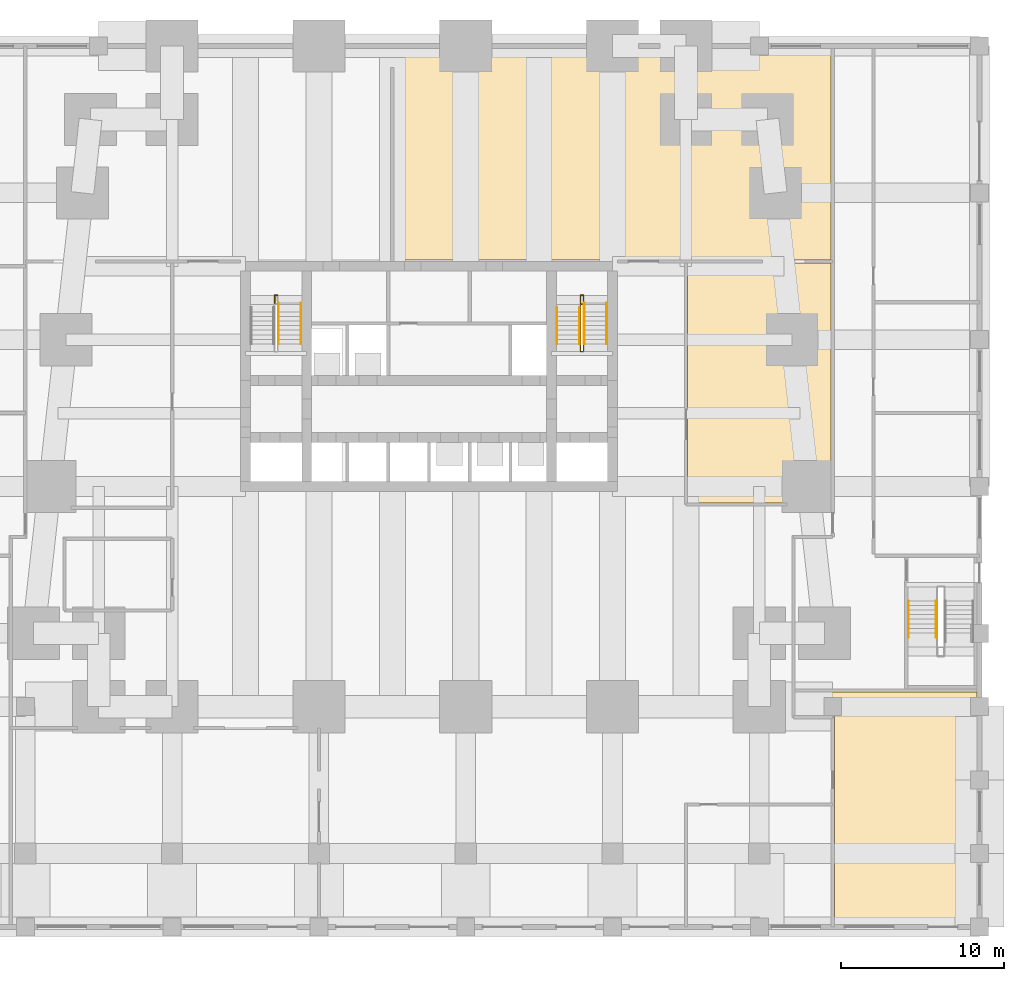
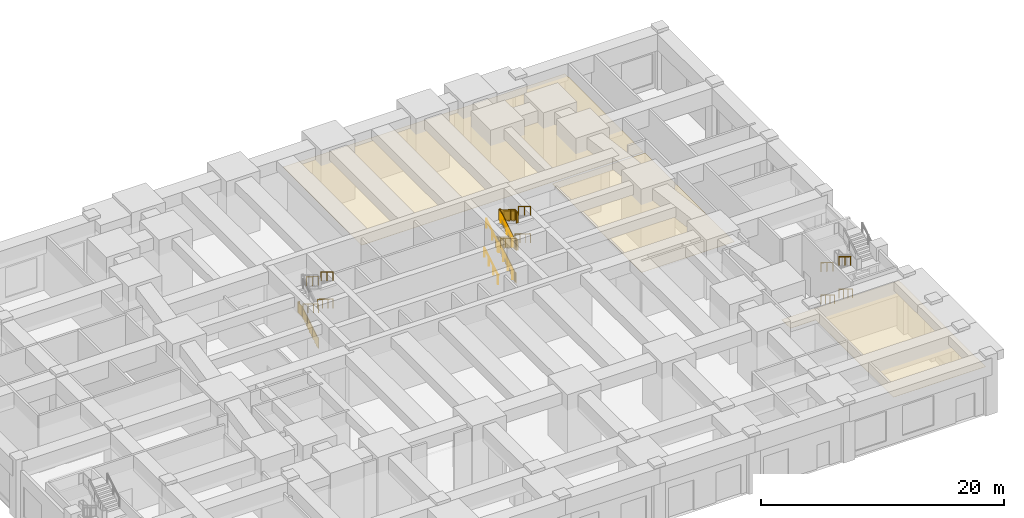
# One storey, part 11 of 13: 21 railings, 3 coverings.
"""IFC4 building model written with IfcOpenShell, lengths in metres."""

from ifc_helpers import new_model, si_unit, direction, frame, origin, origin_2d, place, context, subcontext, project, spatial, polyline, circle, outline, extrude, material, layer, layer_set, type_object, element, save


model = new_model("IFC4")

# Units and contexts
model_context = context("Model", 3, precision=1e-05, world=origin(), true_north=direction((0.0, 1.0)))
body_context = subcontext(model_context, "Body", "Model", "MODEL_VIEW")
ifc_project = project(units=[si_unit("LENGTHUNIT", "METRE"), si_unit("AREAUNIT", "SQUARE_METRE"), si_unit("VOLUMEUNIT", "CUBIC_METRE"), si_unit("PLANEANGLEUNIT", "RADIAN"), si_unit("MASSUNIT", "GRAM", prefix="KILO")], contexts=[model_context])

# Site, building, storey
site_placement = place(None, origin())
site = spatial("IfcSite", under=ifc_project, at=site_placement, CompositionType="ELEMENT")
building_placement = place(site_placement, origin())
building = spatial("IfcBuilding", under=site, at=building_placement, Name="Kilele Tower Hotel", CompositionType="ELEMENT")
storey_placement = place(building_placement, origin())
storey = spatial("IfcBuildingStorey", under=building, at=storey_placement, Name="L00", CompositionType="ELEMENT", Elevation=0.0)

# Railings
ifc_material_1 = material(Name="Steel handrail", Category="steel")
railing_type_1 = type_object("IfcRailingType", Name="Handrail 900", PredefinedType="HANDRAIL", material=ifc_material_1)
for number, where, name in (
    (1, (15.52490234375, 24.760009765625, 1.71435546875), "Handrail ST1 flight 2"),
    (2, (16.89990234375, 24.760009765625, 1.71435546875), "Handrail ST1 flight 2"),
):
    element("IfcRailing", number, at=place(storey_placement, frame(where)), inside=storey, type_object=railing_type_1, Name=name, PredefinedType="HANDRAIL", context=body_context, shape_type="SweptSolid", body=[
        extrude(circle(Radius=0.02490234375, at=origin_2d()), frame((0.0, 0.0, 0.875), z_axis=(0.0, -0.852873080145, 0.522118290393), x_axis=(1.0, 0.0, 0.0)), (0.0, 0.0, 1.0), 2.954833984375),
        extrude(circle(Radius=0.02001953125, at=origin_2d()), origin(), (0.0, 0.0, 1.0), 0.849853515625),
        extrude(circle(Radius=0.02001953125, at=origin_2d()), frame((0.0, -0.840087890625, 0.51416015625)), (0.0, 0.0, 1.0), 0.849853515625),
        extrude(circle(Radius=0.02001953125, at=origin_2d()), frame((0.0, -1.679931640625, 1.028564453125)), (0.0, 0.0, 1.0), 0.849853515625),
        extrude(circle(Radius=0.02001953125, at=origin_2d()), frame((0.0, -2.52001953125, 1.542724609375)), (0.0, 0.0, 1.0), 0.849853515625),
    ])
for number, where, name in (
    (3, (15.52490234375, 24.199951171875, 4.800048828125), "Handrail ST1 flight 4"),
    (4, (16.89990234375, 24.199951171875, 4.800048828125), "Handrail ST1 flight 4"),
):
    element("IfcRailing", number, at=place(storey_placement, frame(where)), inside=storey, type_object=railing_type_1, Name=name, PredefinedType="HANDRAIL", context=body_context, shape_type="SweptSolid", body=[
        extrude(circle(Radius=0.02490234375, at=origin_2d()), frame((0.0, 0.0, 0.875), z_axis=(0.0, -0.852856131449, 0.522145974847), x_axis=(1.0, 0.0, 0.0)), (0.0, 0.0, 1.0), 2.298095703125),
        extrude(circle(Radius=0.02001953125, at=origin_2d()), origin(), (0.0, 0.0, 1.0), 0.849853515625),
        extrude(circle(Radius=0.02001953125, at=origin_2d()), frame((0.0, -0.97998046875, 0.60009765625)), (0.0, 0.0, 1.0), 0.849853515625),
        extrude(circle(Radius=0.02001953125, at=origin_2d()), frame((0.0, -1.9599609375, 1.199951171875)), (0.0, 0.0, 1.0), 0.849853515625),
    ])
for number, where, name in (
    (5, (32.60009765625, 22.239990234375, 0.17138671875), "Handrail ST2 flight 1"),
    (6, (33.97509765625, 22.239990234375, 0.17138671875), "Handrail ST2 flight 1"),
):
    element("IfcRailing", number, at=place(storey_placement, frame(where)), inside=storey, type_object=railing_type_1, Name=name, PredefinedType="HANDRAIL", context=body_context, shape_type="SweptSolid", body=[
        extrude(circle(Radius=0.02490234375, at=origin_2d()), frame((0.0, 0.0, 0.875), z_axis=(0.0, 0.852824270871, 0.522198011308), x_axis=(-1.0, 0.0, 0.0)), (0.0, 0.0, 1.0), 2.62646484375),
        extrude(circle(Radius=0.02001953125, at=origin_2d()), origin(), (0.0, 0.0, 1.0), 0.849853515625),
        extrude(circle(Radius=0.02001953125, at=origin_2d()), frame((0.0, 0.74658203125, 0.457275390625)), (0.0, 0.0, 1.0), 0.849853515625),
        extrude(circle(Radius=0.02001953125, at=origin_2d()), frame((0.0, 1.493408203125, 0.914306640625)), (0.0, 0.0, 1.0), 0.849853515625),
        extrude(circle(Radius=0.02001953125, at=origin_2d()), frame((0.0, 2.239990234375, 1.37158203125)), (0.0, 0.0, 1.0), 0.849853515625),
    ])
for number, where, name in (
    (7, (34.27490234375, 24.760009765625, 1.71435546875), "Handrail ST2 flight 2"),
    (8, (35.64990234375, 24.760009765625, 1.71435546875), "Handrail ST2 flight 2"),
):
    element("IfcRailing", number, at=place(storey_placement, frame(where)), inside=storey, type_object=railing_type_1, Name=name, PredefinedType="HANDRAIL", context=body_context, shape_type="SweptSolid", body=[
        extrude(circle(Radius=0.02490234375, at=origin_2d()), frame((0.0, 0.0, 0.875), z_axis=(0.0, -0.852873080145, 0.522118290393), x_axis=(1.0, 0.0, 0.0)), (0.0, 0.0, 1.0), 2.954833984375),
        extrude(circle(Radius=0.02001953125, at=origin_2d()), origin(), (0.0, 0.0, 1.0), 0.849853515625),
        extrude(circle(Radius=0.02001953125, at=origin_2d()), frame((0.0, -0.840087890625, 0.51416015625)), (0.0, 0.0, 1.0), 0.849853515625),
        extrude(circle(Radius=0.02001953125, at=origin_2d()), frame((0.0, -1.679931640625, 1.028564453125)), (0.0, 0.0, 1.0), 0.849853515625),
        extrude(circle(Radius=0.02001953125, at=origin_2d()), frame((0.0, -2.52001953125, 1.542724609375)), (0.0, 0.0, 1.0), 0.849853515625),
    ])
for number, where, name in (
    (9, (32.60009765625, 22.239990234375, 3.428466796875), "Handrail ST2 flight 3"),
    (10, (33.97509765625, 22.239990234375, 3.428466796875), "Handrail ST2 flight 3"),
):
    element("IfcRailing", number, at=place(storey_placement, frame(where)), inside=storey, type_object=railing_type_1, Name=name, PredefinedType="HANDRAIL", context=body_context, shape_type="SweptSolid", body=[
        extrude(circle(Radius=0.02490234375, at=origin_2d()), frame((0.0, 0.0, 0.875), z_axis=(0.0, 0.852808822406, 0.522223240029), x_axis=(-1.0, 0.0, 0.0)), (0.0, 0.0, 1.0), 2.29833984375),
        extrude(circle(Radius=0.02001953125, at=origin_2d()), origin(), (0.0, 0.0, 1.0), 0.849853515625),
        extrude(circle(Radius=0.02001953125, at=origin_2d()), frame((0.0, 0.97998046875, 0.60009765625)), (0.0, 0.0, 1.0), 0.849853515625),
        extrude(circle(Radius=0.02001953125, at=origin_2d()), frame((0.0, 1.9599609375, 1.2001953125)), (0.0, 0.0, 1.0), 0.849853515625),
    ])
for number, where, name in (
    (11, (34.27490234375, 24.199951171875, 4.800048828125), "Handrail ST2 flight 4"),
    (12, (35.64990234375, 24.199951171875, 4.800048828125), "Handrail ST2 flight 4"),
):
    element("IfcRailing", number, at=place(storey_placement, frame(where)), inside=storey, type_object=railing_type_1, Name=name, PredefinedType="HANDRAIL", context=body_context, shape_type="SweptSolid", body=[
        extrude(circle(Radius=0.02490234375, at=origin_2d()), frame((0.0, 0.0, 0.875), z_axis=(0.0, -0.852856131449, 0.522145974847), x_axis=(1.0, 0.0, 0.0)), (0.0, 0.0, 1.0), 2.298095703125),
        extrude(circle(Radius=0.02001953125, at=origin_2d()), origin(), (0.0, 0.0, 1.0), 0.849853515625),
        extrude(circle(Radius=0.02001953125, at=origin_2d()), frame((0.0, -0.97998046875, 0.60009765625)), (0.0, 0.0, 1.0), 0.849853515625),
        extrude(circle(Radius=0.02001953125, at=origin_2d()), frame((0.0, -1.9599609375, 1.199951171875)), (0.0, 0.0, 1.0), 0.849853515625),
    ])
for number, where, name in (
    (13, (54.14990234375, 6.485107421875, 0.17138671875), "Handrail ST5 flight 1"),
    (14, (55.85009765625, 6.485107421875, 0.17138671875), "Handrail ST5 flight 1"),
):
    element("IfcRailing", number, at=place(storey_placement, frame(where)), inside=storey, type_object=railing_type_1, Name=name, PredefinedType="HANDRAIL", context=body_context, shape_type="SweptSolid", body=[
        extrude(circle(Radius=0.02490234375, at=origin_2d()), frame((0.0, 0.0, 0.875), z_axis=(0.0, -0.852824270871, 0.522198011308), x_axis=(1.0, 0.0, 0.0)), (0.0, 0.0, 1.0), 2.62646484375),
        extrude(circle(Radius=0.02001953125, at=origin_2d()), origin(), (0.0, 0.0, 1.0), 0.849853515625),
        extrude(circle(Radius=0.02001953125, at=origin_2d()), frame((0.0, -0.74658203125, 0.457275390625)), (0.0, 0.0, 1.0), 0.849853515625),
        extrude(circle(Radius=0.02001953125, at=origin_2d()), frame((0.0, -1.493408203125, 0.914306640625)), (0.0, 0.0, 1.0), 0.849853515625),
        extrude(circle(Radius=0.02001953125, at=origin_2d()), frame((0.0, -2.239990234375, 1.37158203125)), (0.0, 0.0, 1.0), 0.849853515625),
    ])
for number, where, name in (
    (15, (54.14990234375, 6.485107421875, 3.428466796875), "Handrail ST5 flight 3"),
    (16, (55.85009765625, 6.485107421875, 3.428466796875), "Handrail ST5 flight 3"),
):
    element("IfcRailing", number, at=place(storey_placement, frame(where)), inside=storey, type_object=railing_type_1, Name=name, PredefinedType="HANDRAIL", context=body_context, shape_type="SweptSolid", body=[
        extrude(circle(Radius=0.02490234375, at=origin_2d()), frame((0.0, 0.0, 0.875), z_axis=(0.0, -0.852837789018, 0.522175933592), x_axis=(1.0, 0.0, 0.0)), (0.0, 0.0, 1.0), 2.29833984375),
        extrude(circle(Radius=0.02001953125, at=origin_2d()), origin(), (0.0, 0.0, 1.0), 0.849853515625),
        extrude(circle(Radius=0.02001953125, at=origin_2d()), frame((0.0, -0.97998046875, 0.60009765625)), (0.0, 0.0, 1.0), 0.849853515625),
        extrude(circle(Radius=0.02001953125, at=origin_2d()), frame((0.0, -1.960205078125, 1.2001953125)), (0.0, 0.0, 1.0), 0.849853515625),
    ])
ifc_material_2 = material(Name="Steel guard", Category="steel")
railing_type_2 = type_object("IfcRailingType", Name="Stair guard 1100", PredefinedType="GUARDRAIL", material=ifc_material_2)
railing_1_placement = place(storey_placement, frame((15.284912109375, 21.77490234375, 0.0)))
element("IfcRailing", 17, at=railing_1_placement, inside=storey, type_object=railing_type_2, Name="Stair well guard ST1 flight 1", PredefinedType="GUARDRAIL", context=body_context, shape_type="SweptSolid", body=[
    extrude(circle(Radius=0.02490234375, at=origin_2d()), frame((0.0, 0.0, 1.0751953125), z_axis=(0.0, 1.0, 0.0), x_axis=(-1.0, 0.0, 0.0)), (0.0, 0.0, 1.0), 0.18505859375),
    extrude(circle(Radius=0.02490234375, at=origin_2d()), frame((0.0, 0.18505859375, 1.0751953125), z_axis=(0.0, 0.852836285881, 0.522178388565), x_axis=(-1.0, 0.0, 0.0)), (0.0, 0.0, 1.0), 2.954833984375),
    extrude(circle(Radius=0.02490234375, at=origin_2d()), frame((0.0, 2.705078125, 2.6181640625), z_axis=(0.0, 1.0, 0.0), x_axis=(-1.0, 0.0, 0.0)), (0.0, 0.0, 1.0), 0.7451171875),
    extrude(circle(Radius=0.02490234375, at=origin_2d()), frame((0.0, 3.4501953125, 2.6181640625), z_axis=(1.0, 0.0, 0.0), x_axis=(0.0, 1.0, 0.0)), (0.0, 0.0, 1.0), 0.18017578125),
    extrude(circle(Radius=0.02490234375, at=origin_2d()), origin(), (0.0, 0.0, 1.0), 1.050048828125),
    extrude(circle(Radius=0.02490234375, at=origin_2d()), frame((0.0, 0.18505859375, 0.0)), (0.0, 0.0, 1.0), 1.050048828125),
    extrude(circle(Radius=0.02490234375, at=origin_2d()), frame((0.0, 1.025146484375, 0.514404296875)), (0.0, 0.0, 1.0), 1.050048828125),
    extrude(circle(Radius=0.02490234375, at=origin_2d()), frame((0.0, 1.864990234375, 1.028564453125)), (0.0, 0.0, 1.0), 1.050048828125),
    extrude(circle(Radius=0.02490234375, at=origin_2d()), frame((0.0, 2.705078125, 1.54296875)), (0.0, 0.0, 1.0), 1.050048828125),
    extrude(circle(Radius=0.02490234375, at=origin_2d()), frame((0.0, 3.4501953125, 1.54296875)), (0.0, 0.0, 1.0), 1.050048828125),
    extrude(circle(Radius=0.02490234375, at=origin_2d()), frame((0.18017578125, 3.4501953125, 1.54296875)), (0.0, 0.0, 1.0), 1.050048828125),
    extrude(outline(polyline([(0.0, 0.030029296875), (0.172607421875, 0.030029296875), (0.172607421875, 1.050048828125), (0.0, 1.050048828125), (0.0, 0.030029296875)])), frame((-0.005859375, 0.0, 0.0), z_axis=(1.0, 0.0, 0.0), x_axis=(0.0, 1.0, 0.0)), (0.0, 0.0, 1.0), 0.011962890625),
    extrude(outline(polyline([(0.012451171875, 0.030029296875), (0.25, 0.030029296875), (0.25, 0.201416015625), (0.530029296875, 0.201416015625), (0.530029296875, 0.372802734375), (0.81005859375, 0.372802734375), (0.81005859375, 0.54443359375), (1.090087890625, 0.54443359375), (1.090087890625, 0.7158203125), (1.369873046875, 0.7158203125), (1.369873046875, 0.88720703125), (1.64990234375, 0.88720703125), (1.64990234375, 1.05859375), (1.929931640625, 1.05859375), (1.929931640625, 1.230224609375), (2.2099609375, 1.230224609375), (2.2099609375, 1.401611328125), (2.489990234375, 1.401611328125), (2.489990234375, 1.572998046875), (2.507568359375, 1.572998046875), (2.507568359375, 2.5810546875), (0.012451171875, 1.053466796875), (0.012451171875, 0.030029296875)])), frame((-0.005859375, 0.18505859375, 0.0), z_axis=(1.0, 0.0, 0.0), x_axis=(0.0, 1.0, 0.0)), (0.0, 0.0, 1.0), 0.011962890625),
    extrude(outline(polyline([(0.012451171875, 0.030029296875), (0.732666015625, 0.030029296875), (0.732666015625, 1.050048828125), (0.012451171875, 1.050048828125), (0.012451171875, 0.030029296875)])), frame((-0.005859375, 2.705078125, 1.54296875), z_axis=(1.0, 0.0, 0.0), x_axis=(0.0, 1.0, 0.0)), (0.0, 0.0, 1.0), 0.011962890625),
    extrude(outline(polyline([(0.012451171875, 0.030029296875), (0.18017578125, 0.030029296875), (0.18017578125, 1.050048828125), (0.012451171875, 1.050048828125), (0.012451171875, 0.030029296875)])), frame((0.0, 3.4560546875, 1.54296875), z_axis=(0.0, -1.0, 0.0), x_axis=(1.0, 0.0, 0.0)), (0.0, 0.0, 1.0), 0.011962890625),
])
railing_2_placement = place(storey_placement, frame((34.034912109375, 21.77490234375, 0.0)))
element("IfcRailing", 18, at=railing_2_placement, inside=storey, type_object=railing_type_2, Name="Stair well guard ST2 flight 1", PredefinedType="GUARDRAIL", context=body_context, shape_type="SweptSolid", body=[
    extrude(circle(Radius=0.02490234375, at=origin_2d()), frame((0.0, 0.0, 1.0751953125), z_axis=(0.0, 1.0, 0.0), x_axis=(-1.0, 0.0, 0.0)), (0.0, 0.0, 1.0), 0.18505859375),
    extrude(circle(Radius=0.02490234375, at=origin_2d()), frame((0.0, 0.18505859375, 1.0751953125), z_axis=(0.0, 0.852836285881, 0.522178388565), x_axis=(-1.0, 0.0, 0.0)), (0.0, 0.0, 1.0), 2.954833984375),
    extrude(circle(Radius=0.02490234375, at=origin_2d()), frame((0.0, 2.705078125, 2.6181640625), z_axis=(0.0, 1.0, 0.0), x_axis=(-1.0, 0.0, 0.0)), (0.0, 0.0, 1.0), 0.7451171875),
    extrude(circle(Radius=0.02490234375, at=origin_2d()), frame((0.0, 3.4501953125, 2.6181640625), z_axis=(1.0, 0.0, 0.0), x_axis=(0.0, 1.0, 0.0)), (0.0, 0.0, 1.0), 0.18017578125),
    extrude(circle(Radius=0.02490234375, at=origin_2d()), origin(), (0.0, 0.0, 1.0), 1.050048828125),
    extrude(circle(Radius=0.02490234375, at=origin_2d()), frame((0.0, 0.18505859375, 0.0)), (0.0, 0.0, 1.0), 1.050048828125),
    extrude(circle(Radius=0.02490234375, at=origin_2d()), frame((0.0, 1.025146484375, 0.514404296875)), (0.0, 0.0, 1.0), 1.050048828125),
    extrude(circle(Radius=0.02490234375, at=origin_2d()), frame((0.0, 1.864990234375, 1.028564453125)), (0.0, 0.0, 1.0), 1.050048828125),
    extrude(circle(Radius=0.02490234375, at=origin_2d()), frame((0.0, 2.705078125, 1.54296875)), (0.0, 0.0, 1.0), 1.050048828125),
    extrude(circle(Radius=0.02490234375, at=origin_2d()), frame((0.0, 3.4501953125, 1.54296875)), (0.0, 0.0, 1.0), 1.050048828125),
    extrude(circle(Radius=0.02490234375, at=origin_2d()), frame((0.18017578125, 3.4501953125, 1.54296875)), (0.0, 0.0, 1.0), 1.050048828125),
    extrude(outline(polyline([(0.0, 0.030029296875), (0.172607421875, 0.030029296875), (0.172607421875, 1.050048828125), (0.0, 1.050048828125), (0.0, 0.030029296875)])), frame((-0.005859375, 0.0, 0.0), z_axis=(1.0, 0.0, 0.0), x_axis=(0.0, 1.0, 0.0)), (0.0, 0.0, 1.0), 0.011962890625),
    extrude(outline(polyline([(0.012451171875, 0.030029296875), (0.25, 0.030029296875), (0.25, 0.201416015625), (0.530029296875, 0.201416015625), (0.530029296875, 0.372802734375), (0.81005859375, 0.372802734375), (0.81005859375, 0.54443359375), (1.090087890625, 0.54443359375), (1.090087890625, 0.7158203125), (1.369873046875, 0.7158203125), (1.369873046875, 0.88720703125), (1.64990234375, 0.88720703125), (1.64990234375, 1.05859375), (1.929931640625, 1.05859375), (1.929931640625, 1.230224609375), (2.2099609375, 1.230224609375), (2.2099609375, 1.401611328125), (2.489990234375, 1.401611328125), (2.489990234375, 1.572998046875), (2.507568359375, 1.572998046875), (2.507568359375, 2.5810546875), (0.012451171875, 1.053466796875), (0.012451171875, 0.030029296875)])), frame((-0.005859375, 0.18505859375, 0.0), z_axis=(1.0, 0.0, 0.0), x_axis=(0.0, 1.0, 0.0)), (0.0, 0.0, 1.0), 0.011962890625),
    extrude(outline(polyline([(0.012451171875, 0.030029296875), (0.732666015625, 0.030029296875), (0.732666015625, 1.050048828125), (0.012451171875, 1.050048828125), (0.012451171875, 0.030029296875)])), frame((-0.005859375, 2.705078125, 1.54296875), z_axis=(1.0, 0.0, 0.0), x_axis=(0.0, 1.0, 0.0)), (0.0, 0.0, 1.0), 0.011962890625),
    extrude(outline(polyline([(0.012451171875, 0.030029296875), (0.18017578125, 0.030029296875), (0.18017578125, 1.050048828125), (0.012451171875, 1.050048828125), (0.012451171875, 0.030029296875)])), frame((0.0, 3.4560546875, 1.54296875), z_axis=(0.0, -1.0, 0.0), x_axis=(1.0, 0.0, 0.0)), (0.0, 0.0, 1.0), 0.011962890625),
])
railing_3_placement = place(storey_placement, frame((34.215087890625, 25.22509765625, 1.54296875)))
element("IfcRailing", 19, at=railing_3_placement, inside=storey, type_object=railing_type_2, Name="Stair well guard ST2 flight 2", PredefinedType="GUARDRAIL", context=body_context, shape_type="SweptSolid", body=[
    extrude(circle(Radius=0.02490234375, at=origin_2d()), frame((0.0, 0.0, 1.0751953125), z_axis=(0.0, -1.0, 0.0), x_axis=(1.0, 0.0, 0.0)), (0.0, 0.0, 1.0), 0.18505859375),
    extrude(circle(Radius=0.02490234375, at=origin_2d()), frame((0.0, -0.18505859375, 1.0751953125), z_axis=(0.0, -0.852879011914, 0.522108600807), x_axis=(1.0, 0.0, 0.0)), (0.0, 0.0, 1.0), 3.282958984375),
    extrude(circle(Radius=0.02490234375, at=origin_2d()), frame((0.0, -2.985107421875, 2.7890625), z_axis=(0.0, -1.0, 0.0), x_axis=(1.0, 0.0, 0.0)), (0.0, 0.0, 1.0), 0.465087890625),
    extrude(circle(Radius=0.02490234375, at=origin_2d()), frame((0.0, -3.4501953125, 2.7890625), z_axis=(-1.0, 0.0, 0.0), x_axis=(0.0, -1.0, 0.0)), (0.0, 0.0, 1.0), 0.18017578125),
    extrude(circle(Radius=0.02490234375, at=origin_2d()), origin(), (0.0, 0.0, 1.0), 1.050048828125),
    extrude(circle(Radius=0.02490234375, at=origin_2d()), frame((0.0, -0.18505859375, 0.0)), (0.0, 0.0, 1.0), 1.050048828125),
    extrude(circle(Radius=0.02490234375, at=origin_2d()), frame((0.0, -1.118408203125, 0.5712890625)), (0.0, 0.0, 1.0), 1.050048828125),
    extrude(circle(Radius=0.02490234375, at=origin_2d()), frame((0.0, -2.0517578125, 1.142822265625)), (0.0, 0.0, 1.0), 1.050048828125),
    extrude(circle(Radius=0.02490234375, at=origin_2d()), frame((0.0, -2.985107421875, 1.714111328125)), (0.0, 0.0, 1.0), 1.050048828125),
    extrude(circle(Radius=0.02490234375, at=origin_2d()), frame((0.0, -3.4501953125, 1.714111328125)), (0.0, 0.0, 1.0), 1.050048828125),
    extrude(circle(Radius=0.02490234375, at=origin_2d()), frame((-0.18017578125, -3.4501953125, 1.714111328125)), (0.0, 0.0, 1.0), 1.050048828125),
    extrude(outline(polyline([(0.0, 0.030029296875), (0.172607421875, 0.030029296875), (0.172607421875, 1.050048828125), (0.0, 1.050048828125), (0.0, 0.030029296875)])), frame((0.005859375, 0.0, 0.0), z_axis=(-1.0, 0.0, 0.0), x_axis=(0.0, -1.0, 0.0)), (0.0, 0.0, 1.0), 0.011962890625),
    extrude(outline(polyline([(0.012451171875, 0.030029296875), (0.25, 0.030029296875), (0.25, 0.201416015625), (0.530029296875, 0.201416015625), (0.530029296875, 0.372802734375), (0.81005859375, 0.372802734375), (0.81005859375, 0.544189453125), (1.090087890625, 0.544189453125), (1.090087890625, 0.715576171875), (1.3701171875, 0.715576171875), (1.3701171875, 0.88720703125), (1.64990234375, 0.88720703125), (1.64990234375, 1.05859375), (1.929931640625, 1.05859375), (1.929931640625, 1.22998046875), (2.2099609375, 1.22998046875), (2.2099609375, 1.4013671875), (2.489990234375, 1.4013671875), (2.489990234375, 1.57275390625), (2.77001953125, 1.57275390625), (2.77001953125, 1.744140625), (2.78759765625, 1.744140625), (2.78759765625, 2.752197265625), (0.012451171875, 1.053466796875), (0.012451171875, 0.030029296875)])), frame((0.005859375, -0.18505859375, 0.0), z_axis=(-1.0, 0.0, 0.0), x_axis=(0.0, -1.0, 0.0)), (0.0, 0.0, 1.0), 0.011962890625),
    extrude(outline(polyline([(0.012451171875, 0.030029296875), (0.45263671875, 0.030029296875), (0.45263671875, 1.050048828125), (0.012451171875, 1.050048828125), (0.012451171875, 0.030029296875)])), frame((0.005859375, -2.985107421875, 1.714111328125), z_axis=(-1.0, 0.0, 0.0), x_axis=(0.0, -1.0, 0.0)), (0.0, 0.0, 1.0), 0.011962890625),
    extrude(outline(polyline([(0.012451171875, 0.030029296875), (0.18017578125, 0.030029296875), (0.18017578125, 1.050048828125), (0.012451171875, 1.050048828125), (0.012451171875, 0.030029296875)])), frame((0.0, -3.4560546875, 1.714111328125), z_axis=(0.0, 1.0, 0.0), x_axis=(-1.0, 0.0, 0.0)), (0.0, 0.0, 1.0), 0.011962890625),
])
railing_4_placement = place(storey_placement, frame((34.034912109375, 21.77490234375, 3.257080078125)))
element("IfcRailing", 20, at=railing_4_placement, inside=storey, type_object=railing_type_2, Name="Stair well guard ST2 flight 3", PredefinedType="GUARDRAIL", context=body_context, shape_type="SweptSolid", body=[
    extrude(circle(Radius=0.02490234375, at=origin_2d()), frame((0.0, 0.0, 1.0751953125), z_axis=(0.0, 1.0, 0.0), x_axis=(-1.0, 0.0, 0.0)), (0.0, 0.0, 1.0), 0.18505859375),
    extrude(circle(Radius=0.02490234375, at=origin_2d()), frame((0.0, 0.18505859375, 1.0751953125), z_axis=(0.0, 0.852824270871, 0.522198011308), x_axis=(-1.0, 0.0, 0.0)), (0.0, 0.0, 1.0), 2.62646484375),
    extrude(circle(Radius=0.02490234375, at=origin_2d()), frame((0.0, 2.425048828125, 2.44677734375), z_axis=(0.0, 1.0, 0.0), x_axis=(-1.0, 0.0, 0.0)), (0.0, 0.0, 1.0), 0.465087890625),
    extrude(circle(Radius=0.02490234375, at=origin_2d()), frame((0.0, 2.89013671875, 2.44677734375), z_axis=(1.0, 0.0, 0.0), x_axis=(0.0, 1.0, 0.0)), (0.0, 0.0, 1.0), 0.18017578125),
    extrude(circle(Radius=0.02490234375, at=origin_2d()), origin(), (0.0, 0.0, 1.0), 1.050048828125),
    extrude(circle(Radius=0.02490234375, at=origin_2d()), frame((0.0, 0.18505859375, 0.0)), (0.0, 0.0, 1.0), 1.050048828125),
    extrude(circle(Radius=0.02490234375, at=origin_2d()), frame((0.0, 0.931640625, 0.457275390625)), (0.0, 0.0, 1.0), 1.050048828125),
    extrude(circle(Radius=0.02490234375, at=origin_2d()), frame((0.0, 1.678466796875, 0.914306640625)), (0.0, 0.0, 1.0), 1.050048828125),
    extrude(circle(Radius=0.02490234375, at=origin_2d()), frame((0.0, 2.425048828125, 1.37158203125)), (0.0, 0.0, 1.0), 1.050048828125),
    extrude(circle(Radius=0.02490234375, at=origin_2d()), frame((0.0, 2.89013671875, 1.37158203125)), (0.0, 0.0, 1.0), 1.050048828125),
    extrude(circle(Radius=0.02490234375, at=origin_2d()), frame((0.18017578125, 2.89013671875, 1.37158203125)), (0.0, 0.0, 1.0), 1.050048828125),
    extrude(outline(polyline([(0.0, 0.030029296875), (0.172607421875, 0.030029296875), (0.172607421875, 1.050048828125), (0.0, 1.050048828125), (0.0, 0.030029296875)])), frame((-0.005859375, 0.0, 0.0), z_axis=(1.0, 0.0, 0.0), x_axis=(0.0, 1.0, 0.0)), (0.0, 0.0, 1.0), 0.011962890625),
    extrude(outline(polyline([(0.012451171875, 0.030029296875), (0.25, 0.030029296875), (0.25, 0.201416015625), (0.530029296875, 0.201416015625), (0.530029296875, 0.373046875), (0.81005859375, 0.373046875), (0.81005859375, 0.54443359375), (1.08984375, 0.54443359375), (1.08984375, 0.7158203125), (1.369873046875, 0.7158203125), (1.369873046875, 0.88720703125), (1.64990234375, 0.88720703125), (1.64990234375, 1.05859375), (1.929931640625, 1.05859375), (1.929931640625, 1.230224609375), (2.2099609375, 1.230224609375), (2.2099609375, 1.401611328125), (2.2275390625, 1.401611328125), (2.2275390625, 2.40966796875), (0.012451171875, 1.053466796875), (0.012451171875, 0.030029296875)])), frame((-0.005859375, 0.18505859375, 0.0), z_axis=(1.0, 0.0, 0.0), x_axis=(0.0, 1.0, 0.0)), (0.0, 0.0, 1.0), 0.011962890625),
    extrude(outline(polyline([(0.012451171875, 0.030029296875), (0.45263671875, 0.030029296875), (0.45263671875, 1.050048828125), (0.012451171875, 1.050048828125), (0.012451171875, 0.030029296875)])), frame((-0.005859375, 2.425048828125, 1.37158203125), z_axis=(1.0, 0.0, 0.0), x_axis=(0.0, 1.0, 0.0)), (0.0, 0.0, 1.0), 0.011962890625),
    extrude(outline(polyline([(0.012451171875, 0.030029296875), (0.18017578125, 0.030029296875), (0.18017578125, 1.050048828125), (0.012451171875, 1.050048828125), (0.012451171875, 0.030029296875)])), frame((0.0, 2.89599609375, 1.37158203125), z_axis=(0.0, -1.0, 0.0), x_axis=(1.0, 0.0, 0.0)), (0.0, 0.0, 1.0), 0.011962890625),
])
railing_5_placement = place(storey_placement, frame((34.215087890625, 24.6650390625, 4.628662109375)))
element("IfcRailing", 21, at=railing_5_placement, inside=storey, type_object=railing_type_2, Name="Stair well guard ST2 flight 4", PredefinedType="GUARDRAIL", context=body_context, shape_type="SweptSolid", body=[
    extrude(circle(Radius=0.02490234375, at=origin_2d()), frame((0.0, 0.0, 1.0751953125), z_axis=(0.0, -1.0, 0.0), x_axis=(1.0, 0.0, 0.0)), (0.0, 0.0, 1.0), 0.18505859375),
    extrude(circle(Radius=0.02490234375, at=origin_2d()), frame((0.0, -0.18505859375, 1.0751953125), z_axis=(0.0, -0.852865665234, 0.522130402356), x_axis=(1.0, 0.0, 0.0)), (0.0, 0.0, 1.0), 2.62646484375),
    extrude(circle(Radius=0.02490234375, at=origin_2d()), frame((0.0, -2.425048828125, 2.4462890625), z_axis=(0.0, -1.0, 0.0), x_axis=(1.0, 0.0, 0.0)), (0.0, 0.0, 1.0), 0.465087890625),
    extrude(circle(Radius=0.02490234375, at=origin_2d()), frame((0.0, -2.89013671875, 2.4462890625), z_axis=(-1.0, 0.0, 0.0), x_axis=(0.0, -1.0, 0.0)), (0.0, 0.0, 1.0), 0.18017578125),
    extrude(circle(Radius=0.02490234375, at=origin_2d()), origin(), (0.0, 0.0, 1.0), 1.050048828125),
    extrude(circle(Radius=0.02490234375, at=origin_2d()), frame((0.0, -0.18505859375, 0.0)), (0.0, 0.0, 1.0), 1.050048828125),
    extrude(circle(Radius=0.02490234375, at=origin_2d()), frame((0.0, -0.931640625, 0.45703125)), (0.0, 0.0, 1.0), 1.050048828125),
    extrude(circle(Radius=0.02490234375, at=origin_2d()), frame((0.0, -1.678466796875, 0.914306640625)), (0.0, 0.0, 1.0), 1.050048828125),
    extrude(circle(Radius=0.02490234375, at=origin_2d()), frame((0.0, -2.425048828125, 1.371337890625)), (0.0, 0.0, 1.0), 1.050048828125),
    extrude(circle(Radius=0.02490234375, at=origin_2d()), frame((0.0, -2.89013671875, 1.371337890625)), (0.0, 0.0, 1.0), 1.050048828125),
    extrude(circle(Radius=0.02490234375, at=origin_2d()), frame((-0.18017578125, -2.89013671875, 1.371337890625)), (0.0, 0.0, 1.0), 1.050048828125),
    extrude(outline(polyline([(0.0, 0.030029296875), (0.172607421875, 0.030029296875), (0.172607421875, 1.050048828125), (0.0, 1.050048828125), (0.0, 0.030029296875)])), frame((0.005859375, 0.0, 0.0), z_axis=(-1.0, 0.0, 0.0), x_axis=(0.0, -1.0, 0.0)), (0.0, 0.0, 1.0), 0.011962890625),
    extrude(outline(polyline([(0.012451171875, 0.030029296875), (0.25, 0.030029296875), (0.25, 0.201416015625), (0.530029296875, 0.201416015625), (0.530029296875, 0.372802734375), (0.81005859375, 0.372802734375), (0.81005859375, 0.544189453125), (1.08984375, 0.544189453125), (1.08984375, 0.7158203125), (1.369873046875, 0.7158203125), (1.369873046875, 0.88720703125), (1.64990234375, 0.88720703125), (1.64990234375, 1.05859375), (1.929931640625, 1.05859375), (1.929931640625, 1.22998046875), (2.2099609375, 1.22998046875), (2.2099609375, 1.4013671875), (2.2275390625, 1.4013671875), (2.2275390625, 2.409423828125), (0.012451171875, 1.053466796875), (0.012451171875, 0.030029296875)])), frame((0.005859375, -0.18505859375, 0.0), z_axis=(-1.0, 0.0, 0.0), x_axis=(0.0, -1.0, 0.0)), (0.0, 0.0, 1.0), 0.011962890625),
    extrude(outline(polyline([(0.012451171875, 0.030029296875), (0.45263671875, 0.030029296875), (0.45263671875, 1.050048828125), (0.012451171875, 1.050048828125), (0.012451171875, 0.030029296875)])), frame((0.005859375, -2.425048828125, 1.371337890625), z_axis=(-1.0, 0.0, 0.0), x_axis=(0.0, -1.0, 0.0)), (0.0, 0.0, 1.0), 0.011962890625),
    extrude(outline(polyline([(0.012451171875, 0.030029296875), (0.18017578125, 0.030029296875), (0.18017578125, 1.050048828125), (0.012451171875, 1.050048828125), (0.012451171875, 0.030029296875)])), frame((0.0, -2.89599609375, 1.371337890625), z_axis=(0.0, 1.0, 0.0), x_axis=(-1.0, 0.0, 0.0)), (0.0, 0.0, 1.0), 0.011962890625),
])

# Coverings
ifc_material_3 = material(Name="Gypsum board suspended ceiling", Category="gypsum")
ifc_layer = layer(ifc_material_3, 0.02490234375)
ifc_layer_set = layer_set([ifc_layer], Name="Gypsum board suspended ceiling")
covering_type = type_object("IfcCoveringType", Name="Suspended ceiling 25", PredefinedType="CEILING", material=ifc_layer_set)
covering_1_placement = place(storey_placement, frame((0.0, 0.0, 4.39990234375)))
element("IfcCovering", 22, at=covering_1_placement, inside=storey, type_object=covering_type, Name="Suspended ceiling Tea lounge", PredefinedType="CEILING", context=body_context, shape_type="SweptSolid", body=[
    extrude(outline(polyline([(49.39990234375, 27.39990234375), (22.60009765625, 27.39990234375), (22.60009765625, 40.35009765625), (49.39990234375, 40.35009765625), (49.39990234375, 27.39990234375)])), origin(), (0.0, 0.0, 1.0), 0.025146484375),
])
covering_2_placement = place(storey_placement, frame((0.0, 0.0, 4.39990234375)))
element("IfcCovering", 23, at=covering_2_placement, inside=storey, type_object=covering_type, Name="Suspended ceiling Wine and cocktail bar", PredefinedType="CEILING", context=body_context, shape_type="SweptSolid", body=[
    extrude(outline(polyline([(49.39990234375, 12.5), (40.60009765625, 12.5), (40.60009765625, 27.199951171875), (49.39990234375, 27.199951171875), (49.39990234375, 12.5)])), origin(), (0.0, 0.0, 1.0), 0.025146484375),
])
covering_3_placement = place(storey_placement, frame((0.0, 0.0, 4.39990234375)))
element("IfcCovering", 24, at=covering_3_placement, inside=storey, type_object=covering_type, Name="Suspended ceiling Retail shop", PredefinedType="CEILING", context=body_context, shape_type="SweptSolid", body=[
    extrude(outline(polyline([(58.35009765625, 0.89990234375), (58.35009765625, -13.35009765625), (49.60009765625, -13.35009765625), (49.60009765625, -0.550048828125), (47.199951171875, -0.550048828125), (47.199951171875, 0.89990234375), (58.35009765625, 0.89990234375)])), origin(), (0.0, 0.0, 1.0), 0.025146484375),
])

save(model, "model.ifc")
